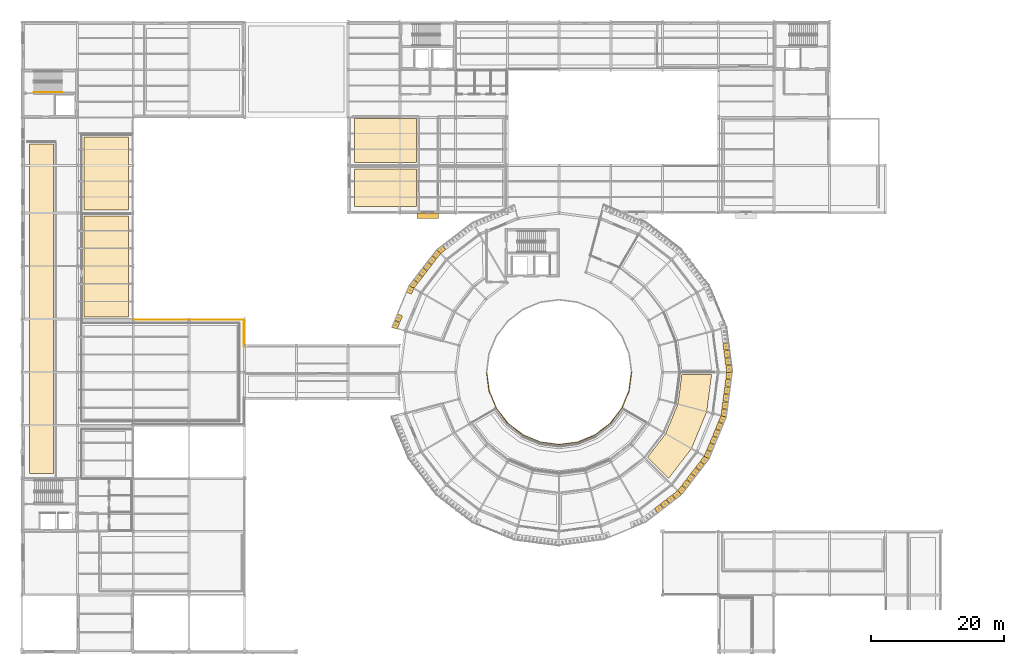
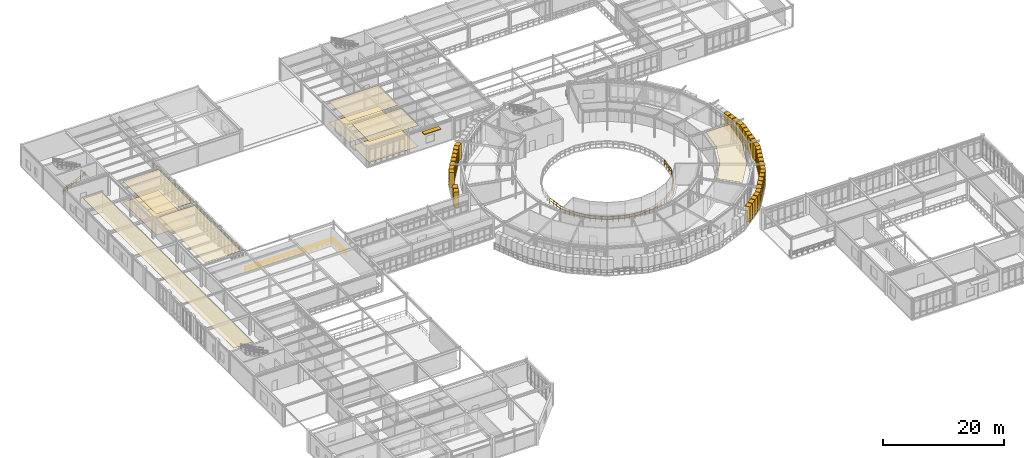
# One storey, part 99 of 106: 37 shading devices, 9 coverings, 3 railings.
"""IFC4 building model written with IfcOpenShell, lengths in metres."""

from ifc_helpers import new_model, si_unit, derived_unit, direction, frame, origin, origin_2d, place, context, subcontext, project, spatial, polyline, rectangle, circle, outline, extrude, material, layer, layer_set, type_object, element, save


model = new_model("IFC4")

# Units and contexts
model_context = context("Model", 3, precision=1e-05, world=origin(), true_north=direction((0.0, 1.0)))
body_context = subcontext(model_context, "Body", "Model", "MODEL_VIEW")
ifc_project = project(units=[si_unit("LENGTHUNIT", "METRE"), si_unit("AREAUNIT", "SQUARE_METRE"), si_unit("VOLUMEUNIT", "CUBIC_METRE"), si_unit("PLANEANGLEUNIT", "RADIAN"), si_unit("MASSUNIT", "GRAM", prefix="KILO"), derived_unit("THERMALTRANSMITTANCEUNIT", [(si_unit("POWERUNIT", "WATT"), 1), (si_unit("AREAUNIT", "SQUARE_METRE"), -1), (si_unit("THERMODYNAMICTEMPERATUREUNIT", "KELVIN"), -1)])], contexts=[model_context])

# Site, building, storey
site_placement = place(None, origin())
site = spatial("IfcSite", under=ifc_project, at=site_placement, CompositionType="ELEMENT")
building_placement = place(site_placement, origin())
building = spatial("IfcBuilding", under=site, at=building_placement, Name="Yasenodar Specialist Clinic", CompositionType="ELEMENT")
storey_placement = place(building_placement, frame((0.0, 0.0, 4.5)))
storey = spatial("IfcBuildingStorey", under=building, at=storey_placement, Name="L01", CompositionType="ELEMENT", Elevation=4.5)

# Coverings
ifc_material_1 = material(Name="Hygienic Acoustic Mineral-Fibre Ceiling")
ifc_layer_1 = layer(ifc_material_1, 0.02490234375)
ifc_layer_set_1 = layer_set([ifc_layer_1], Name="Hygienic Acoustic Mineral-Fibre Ceiling")
covering_type_1 = type_object("IfcCoveringType", Name="COV-CEIL-AC", PredefinedType="CEILING", material=ifc_layer_set_1)
covering_1_placement = place(storey_placement, frame((0.0, 0.0, 4.22509765625)))
element("IfcCovering", 1, at=covering_1_placement, inside=storey, type_object=covering_type_1, Name="L01 Oncology Specialist Consultation Suite Acoustic Ceiling", PredefinedType="CEILING", context=body_context, shape_type="SweptSolid", body=[
    extrude(outline(polyline([(97.52392578125, 42.799072265625), (94.345947265625, 45.97705078125), (97.0390625, 49.487060546875), (97.056884765625, 49.511962890625), (97.072021484375, 49.5380859375), (97.0849609375, 49.56591796875), (98.903076171875, 53.9560546875), (98.9140625, 53.98388671875), (98.922119140625, 54.013916015625), (98.927001953125, 54.0439453125), (99.50390625, 58.429931640625), (103.998046875, 58.429931640625), (103.261962890625, 52.8349609375), (100.958984375, 47.277099609375), (97.52392578125, 42.799072265625)])), origin(), (0.0, 0.0, 1.0), 0.02490234375),
])
covering_2_placement = place(storey_placement, frame((0.0, 0.0, 4.22509765625)))
element("IfcCovering", 2, at=covering_2_placement, inside=storey, type_object=covering_type_1, Name="L01 Cardiology Outpatient Consulting Suite Acoustic Ceiling", PredefinedType="CEILING", context=body_context, shape_type="SweptSolid", body=[
    extrude(outline(polyline([(4.75, 93.199951171875), (4.75, 43.550048828125), (1.14990234375, 43.550048828125), (1.14990234375, 93.199951171875), (4.75, 93.199951171875)])), origin(), (0.0, 0.0, 1.0), 0.02490234375),
])
covering_3_placement = place(storey_placement, frame((0.0, 0.0, 4.22509765625)))
element("IfcCovering", 3, at=covering_3_placement, inside=storey, type_object=covering_type_1, Name="L01 Diabetes Education Consulting Room Acoustic Ceiling", PredefinedType="CEILING", context=body_context, shape_type="SweptSolid", body=[
    extrude(outline(polyline([(16.10009765625, 82.35009765625), (16.10009765625, 67.14990234375), (9.35009765625, 67.14990234375), (9.35009765625, 82.35009765625), (16.10009765625, 82.35009765625)])), origin(), (0.0, 0.0, 1.0), 0.02490234375),
])
covering_4_placement = place(storey_placement, frame((0.0, 0.0, 4.22509765625)))
element("IfcCovering", 4, at=covering_4_placement, inside=storey, type_object=covering_type_1, Name="L01 Endoscopy Procedure Suite 01 Acoustic Ceiling", PredefinedType="CEILING", context=body_context, shape_type="SweptSolid", body=[
    extrude(outline(polyline([(59.5, 89.449951171875), (59.5, 83.75), (50.14990234375, 83.75), (50.14990234375, 89.449951171875), (59.5, 89.449951171875)])), origin(), (0.0, 0.0, 1.0), 0.02490234375),
])
covering_5_placement = place(storey_placement, frame((0.0, 0.0, 4.22509765625)))
element("IfcCovering", 5, at=covering_5_placement, inside=storey, type_object=covering_type_1, Name="L01 Scope Reprocessing Clean Utility Acoustic Ceiling", PredefinedType="CEILING", context=body_context, shape_type="SweptSolid", body=[
    extrude(outline(polyline([(59.5, 97.050048828125), (59.5, 90.449951171875), (50.14990234375, 90.449951171875), (50.14990234375, 97.050048828125), (59.5, 97.050048828125)])), origin(), (0.0, 0.0, 1.0), 0.02490234375),
])
covering_6_placement = place(storey_placement, frame((0.0, 0.0, 4.22509765625)))
element("IfcCovering", 6, at=covering_6_placement, inside=storey, type_object=covering_type_1, Name="L01 Metabolic Nutrition Consulting Room Acoustic Ceiling", PredefinedType="CEILING", context=body_context, shape_type="SweptSolid", body=[
    extrude(outline(polyline([(16.10009765625, 94.25), (16.10009765625, 83.25), (9.35009765625, 83.25), (9.35009765625, 94.25), (16.10009765625, 94.25)])), origin(), (0.0, 0.0, 1.0), 0.02490234375),
])
ifc_material_2 = material(Name="Seamless Epoxy Terrazzo Clinical Flooring")
ifc_layer_2 = layer(ifc_material_2, 0.02001953125)
ifc_layer_set_2 = layer_set([ifc_layer_2], Name="Seamless Epoxy Terrazzo Clinical Flooring")
covering_type_2 = type_object("IfcCoveringType", Name="COV-FLR-TERR", PredefinedType="FLOORING", material=ifc_layer_set_2)
covering_7_placement = place(storey_placement, origin())
element("IfcCovering", 7, at=covering_7_placement, inside=storey, type_object=covering_type_2, Name="L01 Endoscopy Procedure Suite 01 Terrazzo Flooring", PredefinedType="FLOORING", context=body_context, shape_type="SweptSolid", body=[
    extrude(outline(polyline([(59.5, 89.449951171875), (59.5, 83.75), (50.14990234375, 83.75), (50.14990234375, 89.449951171875), (59.5, 89.449951171875)])), origin(), (0.0, 0.0, 1.0), 0.02001953125),
])
covering_8_placement = place(storey_placement, origin())
element("IfcCovering", 8, at=covering_8_placement, inside=storey, type_object=covering_type_2, Name="L01 Scope Reprocessing Clean Utility Terrazzo Flooring", PredefinedType="FLOORING", context=body_context, shape_type="SweptSolid", body=[
    extrude(outline(polyline([(59.5, 97.050048828125), (59.5, 90.449951171875), (50.14990234375, 90.449951171875), (50.14990234375, 97.050048828125), (59.5, 97.050048828125)])), origin(), (0.0, 0.0, 1.0), 0.02001953125),
])
covering_9_placement = place(storey_placement, origin())
element("IfcCovering", 9, at=covering_9_placement, inside=storey, type_object=covering_type_2, Name="L01 Metabolic Nutrition Consulting Room Terrazzo Flooring", PredefinedType="FLOORING", context=body_context, shape_type="SweptSolid", body=[
    extrude(outline(polyline([(16.10009765625, 94.25), (16.10009765625, 83.25), (9.35009765625, 83.25), (9.35009765625, 94.25), (16.10009765625, 94.25)])), origin(), (0.0, 0.0, 1.0), 0.02001953125),
])

# Railings
ifc_material_3 = material(Name="Steel S355 Painted Guardrail", Category="steel")
railing_type_1 = type_object("IfcRailingType", Name="RL-GRD-1120", PredefinedType="GUARDRAIL", material=ifc_material_3)
railing_1_placement = place(storey_placement, frame((33.5, 62.64990234375, 0.0)))
element("IfcRailing", 10, at=railing_1_placement, inside=storey, type_object=railing_type_1, Name="L01 V4 Forecourt Bridge North Guardrail", PredefinedType="GUARDRAIL", context=body_context, shape_type="SweptSolid", body=[
    extrude(circle(Radius=0.02392578125, at=origin_2d()), frame((0.0, 0.0, 1.09619140625), z_axis=(0.0, 1.0, 0.0), x_axis=(-1.0, 0.0, 0.0)), (0.0, 0.0, 1.0), 4.050048828125),
    extrude(circle(Radius=0.02392578125, at=origin_2d()), frame((0.0, 0.0, 0.58251953125), z_axis=(0.0, 1.0, 0.0), x_axis=(-1.0, 0.0, 0.0)), (0.0, 0.0, 1.0), 4.050048828125),
    extrude(circle(Radius=0.02392578125, at=origin_2d()), frame((0.0, 4.050048828125, 1.09619140625), z_axis=(-1.0, 0.0, 0.0), x_axis=(0.0, -1.0, 0.0)), (0.0, 0.0, 1.0), 16.800048828125),
    extrude(circle(Radius=0.02392578125, at=origin_2d()), frame((0.0, 4.050048828125, 0.58251953125), z_axis=(-1.0, 0.0, 0.0), x_axis=(0.0, -1.0, 0.0)), (0.0, 0.0, 1.0), 16.800048828125),
    extrude(circle(Radius=0.02099609375, at=origin_2d()), origin(), (0.0, 0.0, 1.0), 1.072021484375),
    extrude(circle(Radius=0.02099609375, at=origin_2d()), frame((0.0, 1.012451171875, 0.0)), (0.0, 0.0, 1.0), 1.072021484375),
    extrude(circle(Radius=0.02099609375, at=origin_2d()), frame((0.0, 2.02490234375, 0.0)), (0.0, 0.0, 1.0), 1.072021484375),
    extrude(circle(Radius=0.02099609375, at=origin_2d()), frame((0.0, 3.03759765625, 0.0)), (0.0, 0.0, 1.0), 1.072021484375),
    extrude(circle(Radius=0.02099609375, at=origin_2d()), frame((0.0, 4.050048828125, 0.0)), (0.0, 0.0, 1.0), 1.072021484375),
    extrude(circle(Radius=0.02099609375, at=origin_2d()), frame((-1.050048828125, 4.050048828125, 0.0)), (0.0, 0.0, 1.0), 1.072021484375),
    extrude(circle(Radius=0.02099609375, at=origin_2d()), frame((-2.10009765625, 4.050048828125, 0.0)), (0.0, 0.0, 1.0), 1.072021484375),
    extrude(circle(Radius=0.02099609375, at=origin_2d()), frame((-3.14990234375, 4.050048828125, 0.0)), (0.0, 0.0, 1.0), 1.072021484375),
    extrude(circle(Radius=0.02099609375, at=origin_2d()), frame((-4.199951171875, 4.050048828125, 0.0)), (0.0, 0.0, 1.0), 1.072021484375),
    extrude(circle(Radius=0.02099609375, at=origin_2d()), frame((-5.25, 4.050048828125, 0.0)), (0.0, 0.0, 1.0), 1.072021484375),
    extrude(circle(Radius=0.02099609375, at=origin_2d()), frame((-6.300048828125, 4.050048828125, 0.0)), (0.0, 0.0, 1.0), 1.072021484375),
    extrude(circle(Radius=0.02099609375, at=origin_2d()), frame((-7.35009765625, 4.050048828125, 0.0)), (0.0, 0.0, 1.0), 1.072021484375),
    extrude(circle(Radius=0.02099609375, at=origin_2d()), frame((-8.39990234375, 4.050048828125, 0.0)), (0.0, 0.0, 1.0), 1.072021484375),
    extrude(circle(Radius=0.02099609375, at=origin_2d()), frame((-9.449951171875, 4.050048828125, 0.0)), (0.0, 0.0, 1.0), 1.072021484375),
    extrude(circle(Radius=0.02099609375, at=origin_2d()), frame((-10.5, 4.050048828125, 0.0)), (0.0, 0.0, 1.0), 1.072021484375),
    extrude(circle(Radius=0.02099609375, at=origin_2d()), frame((-11.550048828125, 4.050048828125, 0.0)), (0.0, 0.0, 1.0), 1.072021484375),
    extrude(circle(Radius=0.02099609375, at=origin_2d()), frame((-12.60009765625, 4.050048828125, 0.0)), (0.0, 0.0, 1.0), 1.072021484375),
    extrude(circle(Radius=0.02099609375, at=origin_2d()), frame((-13.650146484375, 4.050048828125, 0.0)), (0.0, 0.0, 1.0), 1.072021484375),
    extrude(circle(Radius=0.02099609375, at=origin_2d()), frame((-14.699951171875, 4.050048828125, 0.0)), (0.0, 0.0, 1.0), 1.072021484375),
    extrude(circle(Radius=0.02099609375, at=origin_2d()), frame((-15.75, 4.050048828125, 0.0)), (0.0, 0.0, 1.0), 1.072021484375),
    extrude(circle(Radius=0.02099609375, at=origin_2d()), frame((-16.800048828125, 4.050048828125, 0.0)), (0.0, 0.0, 1.0), 1.072021484375),
])
ifc_material_4 = material(Name="Steel S355 Painted Stair Guardrail", Category="steel")
railing_type_2 = type_object("IfcRailingType", Name="RL-ST-GRD", PredefinedType="GUARDRAIL", material=ifc_material_4)
railing_2_placement = place(storey_placement, frame((70.080078125, 58.800048828125, 0.0)))
element("IfcRailing", 11, at=railing_2_placement, inside=storey, type_object=railing_type_2, Name="L01 Drum V1 Central Atrium South Guardrail", PredefinedType="GUARDRAIL", context=body_context, shape_type="SweptSolid", body=[
    extrude(circle(Radius=0.02392578125, at=origin_2d()), frame((0.0, 0.0, 1.09619140625), z_axis=(0.130514325774, -0.991446423549, 0.0), x_axis=(0.991446423549, 0.130514325774, 0.0)), (0.0, 0.0, 1.0), 2.850830078125),
    extrude(circle(Radius=0.02392578125, at=origin_2d()), frame((0.0, 0.0, 0.58251953125), z_axis=(0.130514325774, -0.991446423549, 0.0), x_axis=(0.991446423549, 0.130514325774, 0.0)), (0.0, 0.0, 1.0), 2.850830078125),
    extrude(circle(Radius=0.02392578125, at=origin_2d()), frame((0.3720703125, -2.826416015625, 1.09619140625), z_axis=(0.382674535665, -0.923883217595, 0.0), x_axis=(0.923883217595, 0.382674535665, 0.0)), (0.0, 0.0, 1.0), 2.8505859375),
    extrude(circle(Radius=0.02392578125, at=origin_2d()), frame((0.3720703125, -2.826416015625, 0.58251953125), z_axis=(0.382674535665, -0.923883217595, 0.0), x_axis=(0.923883217595, 0.382674535665, 0.0)), (0.0, 0.0, 1.0), 2.8505859375),
    extrude(circle(Radius=0.02392578125, at=origin_2d()), frame((1.462890625, -5.4599609375, 1.09619140625), z_axis=(0.608733549092, -0.793374732525, 0.0), x_axis=(0.793374732525, 0.608733549092, 0.0)), (0.0, 0.0, 1.0), 2.850830078125),
    extrude(circle(Radius=0.02392578125, at=origin_2d()), frame((1.462890625, -5.4599609375, 0.58251953125), z_axis=(0.608733549092, -0.793374732525, 0.0), x_axis=(0.793374732525, 0.608733549092, 0.0)), (0.0, 0.0, 1.0), 2.850830078125),
    extrude(circle(Radius=0.02392578125, at=origin_2d()), frame((3.1982421875, -7.7216796875, 1.09619140625), z_axis=(0.793374732525, -0.608733549092, 0.0), x_axis=(0.608733549092, 0.793374732525, 0.0)), (0.0, 0.0, 1.0), 2.850830078125),
    extrude(circle(Radius=0.02392578125, at=origin_2d()), frame((3.1982421875, -7.7216796875, 0.58251953125), z_axis=(0.793374732525, -0.608733549092, 0.0), x_axis=(0.608733549092, 0.793374732525, 0.0)), (0.0, 0.0, 1.0), 2.850830078125),
    extrude(circle(Radius=0.02392578125, at=origin_2d()), frame((5.4599609375, -9.45703125, 1.09619140625), z_axis=(0.923883217595, -0.382674535665, 0.0), x_axis=(0.382674535665, 0.923883217595, 0.0)), (0.0, 0.0, 1.0), 2.8505859375),
    extrude(circle(Radius=0.02392578125, at=origin_2d()), frame((5.4599609375, -9.45703125, 0.58251953125), z_axis=(0.923883217595, -0.382674535665, 0.0), x_axis=(0.382674535665, 0.923883217595, 0.0)), (0.0, 0.0, 1.0), 2.8505859375),
    extrude(circle(Radius=0.02392578125, at=origin_2d()), frame((8.093505859375, -10.5478515625, 1.09619140625), z_axis=(0.991435338545, -0.130598504905, 0.0), x_axis=(0.130598504905, 0.991435338545, 0.0)), (0.0, 0.0, 1.0), 2.850830078125),
    extrude(circle(Radius=0.02392578125, at=origin_2d()), frame((8.093505859375, -10.5478515625, 0.58251953125), z_axis=(0.991435338545, -0.130598504905, 0.0), x_axis=(0.130598504905, 0.991435338545, 0.0)), (0.0, 0.0, 1.0), 2.850830078125),
    extrude(circle(Radius=0.02392578125, at=origin_2d()), frame((10.919921875, -10.920166015625, 1.09619140625), z_axis=(0.991435338545, 0.130598504905, 0.0), x_axis=(-0.130598504905, 0.991435338545, 0.0)), (0.0, 0.0, 1.0), 2.850830078125),
    extrude(circle(Radius=0.02392578125, at=origin_2d()), frame((10.919921875, -10.920166015625, 0.58251953125), z_axis=(0.991435338545, 0.130598504905, 0.0), x_axis=(-0.130598504905, 0.991435338545, 0.0)), (0.0, 0.0, 1.0), 2.850830078125),
    extrude(circle(Radius=0.02392578125, at=origin_2d()), frame((13.746337890625, -10.5478515625, 1.09619140625), z_axis=(0.923883217595, 0.382674535665, 0.0), x_axis=(-0.382674535665, 0.923883217595, 0.0)), (0.0, 0.0, 1.0), 2.8505859375),
    extrude(circle(Radius=0.02392578125, at=origin_2d()), frame((13.746337890625, -10.5478515625, 0.58251953125), z_axis=(0.923883217595, 0.382674535665, 0.0), x_axis=(-0.382674535665, 0.923883217595, 0.0)), (0.0, 0.0, 1.0), 2.8505859375),
    extrude(circle(Radius=0.02392578125, at=origin_2d()), frame((16.3798828125, -9.45703125, 1.09619140625), z_axis=(0.793374732525, 0.608733549092, 0.0), x_axis=(-0.608733549092, 0.793374732525, 0.0)), (0.0, 0.0, 1.0), 2.850830078125),
    extrude(circle(Radius=0.02392578125, at=origin_2d()), frame((16.3798828125, -9.45703125, 0.58251953125), z_axis=(0.793374732525, 0.608733549092, 0.0), x_axis=(-0.608733549092, 0.793374732525, 0.0)), (0.0, 0.0, 1.0), 2.850830078125),
    extrude(circle(Radius=0.02392578125, at=origin_2d()), frame((18.6416015625, -7.7216796875, 1.09619140625), z_axis=(0.608733549092, 0.793374732525, 0.0), x_axis=(-0.793374732525, 0.608733549092, 0.0)), (0.0, 0.0, 1.0), 2.850830078125),
    extrude(circle(Radius=0.02392578125, at=origin_2d()), frame((18.6416015625, -7.7216796875, 0.58251953125), z_axis=(0.608733549092, 0.793374732525, 0.0), x_axis=(-0.793374732525, 0.608733549092, 0.0)), (0.0, 0.0, 1.0), 2.850830078125),
    extrude(circle(Radius=0.02392578125, at=origin_2d()), frame((20.376953125, -5.4599609375, 1.09619140625), z_axis=(0.382674535665, 0.923883217595, 0.0), x_axis=(-0.923883217595, 0.382674535665, 0.0)), (0.0, 0.0, 1.0), 2.8505859375),
    extrude(circle(Radius=0.02392578125, at=origin_2d()), frame((20.376953125, -5.4599609375, 0.58251953125), z_axis=(0.382674535665, 0.923883217595, 0.0), x_axis=(-0.923883217595, 0.382674535665, 0.0)), (0.0, 0.0, 1.0), 2.8505859375),
    extrude(circle(Radius=0.02392578125, at=origin_2d()), frame((21.4677734375, -2.826416015625, 1.09619140625), z_axis=(0.130514325774, 0.991446423549, 0.0), x_axis=(-0.991446423549, 0.130514325774, 0.0)), (0.0, 0.0, 1.0), 2.850830078125),
    extrude(circle(Radius=0.02392578125, at=origin_2d()), frame((21.4677734375, -2.826416015625, 0.58251953125), z_axis=(0.130514325774, 0.991446423549, 0.0), x_axis=(-0.991446423549, 0.130514325774, 0.0)), (0.0, 0.0, 1.0), 2.850830078125),
    extrude(circle(Radius=0.02099609375, at=origin_2d()), origin(), (0.0, 0.0, 1.0), 1.072021484375),
    extrude(circle(Radius=0.02099609375, at=origin_2d()), frame((0.1240234375, -0.942138671875, 0.0)), (0.0, 0.0, 1.0), 1.072021484375),
    extrude(circle(Radius=0.02099609375, at=origin_2d()), frame((0.248046875, -1.88427734375, 0.0)), (0.0, 0.0, 1.0), 1.072021484375),
    extrude(circle(Radius=0.02099609375, at=origin_2d()), frame((0.3720703125, -2.826416015625, 0.0)), (0.0, 0.0, 1.0), 1.072021484375),
    extrude(circle(Radius=0.02099609375, at=origin_2d()), frame((0.735595703125, -3.704345703125, 0.0)), (0.0, 0.0, 1.0), 1.072021484375),
    extrude(circle(Radius=0.02099609375, at=origin_2d()), frame((1.099365234375, -4.58203125, 0.0)), (0.0, 0.0, 1.0), 1.072021484375),
    extrude(circle(Radius=0.02099609375, at=origin_2d()), frame((1.462890625, -5.4599609375, 0.0)), (0.0, 0.0, 1.0), 1.072021484375),
    extrude(circle(Radius=0.02099609375, at=origin_2d()), frame((2.041259765625, -6.2138671875, 0.0)), (0.0, 0.0, 1.0), 1.072021484375),
    extrude(circle(Radius=0.02099609375, at=origin_2d()), frame((2.619873046875, -6.9677734375, 0.0)), (0.0, 0.0, 1.0), 1.072021484375),
    extrude(circle(Radius=0.02099609375, at=origin_2d()), frame((3.1982421875, -7.7216796875, 0.0)), (0.0, 0.0, 1.0), 1.072021484375),
    extrude(circle(Radius=0.02099609375, at=origin_2d()), frame((3.9521484375, -8.300048828125, 0.0)), (0.0, 0.0, 1.0), 1.072021484375),
    extrude(circle(Radius=0.02099609375, at=origin_2d()), frame((4.7060546875, -8.878662109375, 0.0)), (0.0, 0.0, 1.0), 1.072021484375),
    extrude(circle(Radius=0.02099609375, at=origin_2d()), frame((5.4599609375, -9.45703125, 0.0)), (0.0, 0.0, 1.0), 1.072021484375),
    extrude(circle(Radius=0.02099609375, at=origin_2d()), frame((6.337890625, -9.820556640625, 0.0)), (0.0, 0.0, 1.0), 1.072021484375),
    extrude(circle(Radius=0.02099609375, at=origin_2d()), frame((7.215576171875, -10.184326171875, 0.0)), (0.0, 0.0, 1.0), 1.072021484375),
    extrude(circle(Radius=0.02099609375, at=origin_2d()), frame((8.093505859375, -10.5478515625, 0.0)), (0.0, 0.0, 1.0), 1.072021484375),
    extrude(circle(Radius=0.02099609375, at=origin_2d()), frame((9.03564453125, -10.671875, 0.0)), (0.0, 0.0, 1.0), 1.072021484375),
    extrude(circle(Radius=0.02099609375, at=origin_2d()), frame((9.977783203125, -10.796142578125, 0.0)), (0.0, 0.0, 1.0), 1.072021484375),
    extrude(circle(Radius=0.02099609375, at=origin_2d()), frame((10.919921875, -10.920166015625, 0.0)), (0.0, 0.0, 1.0), 1.072021484375),
    extrude(circle(Radius=0.02099609375, at=origin_2d()), frame((11.862060546875, -10.796142578125, 0.0)), (0.0, 0.0, 1.0), 1.072021484375),
    extrude(circle(Radius=0.02099609375, at=origin_2d()), frame((12.80419921875, -10.671875, 0.0)), (0.0, 0.0, 1.0), 1.072021484375),
    extrude(circle(Radius=0.02099609375, at=origin_2d()), frame((13.746337890625, -10.5478515625, 0.0)), (0.0, 0.0, 1.0), 1.072021484375),
    extrude(circle(Radius=0.02099609375, at=origin_2d()), frame((14.624267578125, -10.184326171875, 0.0)), (0.0, 0.0, 1.0), 1.072021484375),
    extrude(circle(Radius=0.02099609375, at=origin_2d()), frame((15.501953125, -9.820556640625, 0.0)), (0.0, 0.0, 1.0), 1.072021484375),
    extrude(circle(Radius=0.02099609375, at=origin_2d()), frame((16.3798828125, -9.45703125, 0.0)), (0.0, 0.0, 1.0), 1.072021484375),
    extrude(circle(Radius=0.02099609375, at=origin_2d()), frame((17.1337890625, -8.878662109375, 0.0)), (0.0, 0.0, 1.0), 1.072021484375),
    extrude(circle(Radius=0.02099609375, at=origin_2d()), frame((17.8876953125, -8.300048828125, 0.0)), (0.0, 0.0, 1.0), 1.072021484375),
    extrude(circle(Radius=0.02099609375, at=origin_2d()), frame((18.6416015625, -7.7216796875, 0.0)), (0.0, 0.0, 1.0), 1.072021484375),
    extrude(circle(Radius=0.02099609375, at=origin_2d()), frame((19.219970703125, -6.9677734375, 0.0)), (0.0, 0.0, 1.0), 1.072021484375),
    extrude(circle(Radius=0.02099609375, at=origin_2d()), frame((19.798583984375, -6.2138671875, 0.0)), (0.0, 0.0, 1.0), 1.072021484375),
    extrude(circle(Radius=0.02099609375, at=origin_2d()), frame((20.376953125, -5.4599609375, 0.0)), (0.0, 0.0, 1.0), 1.072021484375),
    extrude(circle(Radius=0.02099609375, at=origin_2d()), frame((20.740478515625, -4.58203125, 0.0)), (0.0, 0.0, 1.0), 1.072021484375),
    extrude(circle(Radius=0.02099609375, at=origin_2d()), frame((21.104248046875, -3.704345703125, 0.0)), (0.0, 0.0, 1.0), 1.072021484375),
    extrude(circle(Radius=0.02099609375, at=origin_2d()), frame((21.4677734375, -2.826416015625, 0.0)), (0.0, 0.0, 1.0), 1.072021484375),
    extrude(circle(Radius=0.02099609375, at=origin_2d()), frame((21.591796875, -1.88427734375, 0.0)), (0.0, 0.0, 1.0), 1.072021484375),
    extrude(circle(Radius=0.02099609375, at=origin_2d()), frame((21.7158203125, -0.942138671875, 0.0)), (0.0, 0.0, 1.0), 1.072021484375),
    extrude(circle(Radius=0.02099609375, at=origin_2d()), frame((21.83984375, 0.0, 0.0)), (0.0, 0.0, 1.0), 1.072021484375),
])
ifc_material_5 = material(Name="Brushed Stainless Steel Handrail", Category="steel")
railing_type_3 = type_object("IfcRailingType", Name="RL-ST-HND", PredefinedType="HANDRAIL", material=ifc_material_5)
railing_3_placement = place(storey_placement, frame((1.840087890625, 101.010009765625, 0.14990234375)))
element("IfcRailing", 12, at=railing_3_placement, inside=storey, type_object=railing_type_3, Name="L01 ST-02 stair handrail 1", PredefinedType="HANDRAIL", context=body_context, shape_type="SweptSolid", body=[
    extrude(circle(Radius=0.02392578125, at=origin_2d()), frame((0.0, 0.0, 0.8759765625), z_axis=(0.894416792377, 0.0, 0.447234392142), x_axis=(0.0, 1.0, 0.0)), (0.0, 0.0, 1.0), 4.69580078125),
    extrude(circle(Radius=0.02392578125, at=origin_2d()), frame((0.0, 0.0, 0.468017578125), z_axis=(0.894416792377, 0.0, 0.447234392142), x_axis=(0.0, 1.0, 0.0)), (0.0, 0.0, 1.0), 4.69580078125),
    extrude(circle(Radius=0.02099609375, at=origin_2d()), origin(), (0.0, 0.0, 1.0), 0.851806640625),
    extrude(circle(Radius=0.02099609375, at=origin_2d()), frame((0.840087890625, 0.0, 0.419921875)), (0.0, 0.0, 1.0), 0.851806640625),
    extrude(circle(Radius=0.02099609375, at=origin_2d()), frame((1.679931640625, 0.0, 0.840087890625)), (0.0, 0.0, 1.0), 0.851806640625),
    extrude(circle(Radius=0.02099609375, at=origin_2d()), frame((2.52001953125, 0.0, 1.260009765625)), (0.0, 0.0, 1.0), 0.851806640625),
    extrude(circle(Radius=0.02099609375, at=origin_2d()), frame((3.35986328125, 0.0, 1.68017578125)), (0.0, 0.0, 1.0), 0.851806640625),
    extrude(circle(Radius=0.02099609375, at=origin_2d()), frame((4.199951171875, 0.0, 2.10009765625)), (0.0, 0.0, 1.0), 0.851806640625),
])

# Shading devices
ifc_material_6 = material(Name="Bronze Anodized Aluminium Chhajja Sunshade", Category="aluminium")
shading_device_type_1 = type_object("IfcShadingDeviceType", Name="SHD-CHHAJJA-850", PredefinedType="JALOUSIE", material=ifc_material_6)
shading_device_placement = place(storey_placement, frame((61.199951171875, 82.3798828125, 3.35791015625), z_axis=(0.0, 0.0, 1.0), x_axis=(-1.0, 0.0, 0.0)))
element("IfcShadingDevice", 13, at=shading_device_placement, inside=storey, type_object=shading_device_type_1, Name="L01 Chhajja Solar Overhang 451", PredefinedType="JALOUSIE", context=body_context, shape_type="SweptSolid", body=[
    extrude(rectangle(XDim=3.199951171875, YDim=0.85009765625, at=origin_2d()), origin(), (0.0, 0.0, 1.0), 0.139892578125),
])
ifc_material_7 = material(Name="Thermally Modified Larch and Bronze Girih Jali Shutter")
shading_device_type_2 = type_object("IfcShadingDeviceType", Name="SHD-JALI-850", PredefinedType="SHUTTER", material=ifc_material_7)
for number, where, z_axis, x_axis, name in (
    (14, (106.6298828125, 59.2998046875, -0.005126953125), (0.0, 0.0, 1.0), (-0.130519185854, 0.991445783754, 0.0), "L01 Mughal Girih Jali Sliding Shutter Frame 0001"),
    (15, (106.481201171875, 60.429931640625, -0.005126953125), (0.0, 0.0, 1.0), (-0.130519185854, 0.991445783754, 0.0), "L01 Mughal Girih Jali Sliding Shutter Frame 0002"),
    (16, (106.332275390625, 61.560302734375, -0.005126953125), (0.0, 0.0, 1.0), (-0.130519185854, 0.991445783754, 0.0), "L01 Mughal Girih Jali Sliding Shutter Frame 0003"),
    (17, (106.18359375, 62.6904296875, -0.005126953125), (0.0, 0.0, 1.0), (-0.130519185854, 0.991445783754, 0.0), "L01 Mughal Girih Jali Sliding Shutter Frame 0004"),
    (18, (63.23046875, 77.276611328125, -0.005126953125), (0.0, 0.0, 1.0), (-0.793351200869, -0.608764217148, 0.0), "L01 Mughal Girih Jali Sliding Shutter Frame 0039"),
    (19, (62.5234375, 76.569580078125, -0.005126953125), (0.0, 0.0, 1.0), (-0.608764217148, -0.793351200869, 0.0), "L01 Mughal Girih Jali Sliding Shutter Frame 0040"),
    (20, (61.82958984375, 75.665283203125, -0.005126953125), (0.0, 0.0, 1.0), (-0.608764217148, -0.793351200869, 0.0), "L01 Mughal Girih Jali Sliding Shutter Frame 0041"),
    (21, (61.135498046875, 74.760986328125, -0.005126953125), (0.0, 0.0, 1.0), (-0.608764217148, -0.793351200869, 0.0), "L01 Mughal Girih Jali Sliding Shutter Frame 0042"),
    (22, (60.441650390625, 73.8564453125, -0.005126953125), (0.0, 0.0, 1.0), (-0.608764217148, -0.793351200869, 0.0), "L01 Mughal Girih Jali Sliding Shutter Frame 0043"),
    (23, (59.747802734375, 72.9521484375, -0.005126953125), (0.0, 0.0, 1.0), (-0.608764217148, -0.793351200869, 0.0), "L01 Mughal Girih Jali Sliding Shutter Frame 0044"),
    (24, (59.0537109375, 72.0478515625, -0.005126953125), (0.0, 0.0, 1.0), (-0.608764217148, -0.793351200869, 0.0), "L01 Mughal Girih Jali Sliding Shutter Frame 0045"),
    (25, (58.553955078125, 71.18212890625, -0.005126953125), (0.0, 0.0, 1.0), (-0.382686667195, -0.923878192594, 0.0), "L01 Mughal Girih Jali Sliding Shutter Frame 0046"),
    (26, (56.80908203125, 66.969482421875, -0.005126953125), (0.0, 0.0, 1.0), (-0.382686667195, -0.923878192594, 0.0), "L01 Mughal Girih Jali Sliding Shutter Frame 0047"),
    (27, (56.372802734375, 65.916259765625, -0.005126953125), (0.0, 0.0, 1.0), (-0.382686667195, -0.923878192594, 0.0), "L01 Mughal Girih Jali Sliding Shutter Frame 0048"),
    (28, (96.056396484375, 38.24169921875, -0.005126953125), (0.0, 0.0, 1.0), (0.793351200869, 0.608764217148, 0.0), "L01 Mughal Girih Jali Sliding Shutter Frame 0087"),
    (29, (96.9609375, 38.935546875, -0.005126953125), (0.0, 0.0, 1.0), (0.793351200869, 0.608764217148, 0.0), "L01 Mughal Girih Jali Sliding Shutter Frame 0088"),
    (30, (97.865234375, 39.629638671875, -0.005126953125), (0.0, 0.0, 1.0), (0.793351200869, 0.608764217148, 0.0), "L01 Mughal Girih Jali Sliding Shutter Frame 0089"),
    (31, (98.76953125, 40.323486328125, -0.005126953125), (0.0, 0.0, 1.0), (0.793351200869, 0.608764217148, 0.0), "L01 Mughal Girih Jali Sliding Shutter Frame 0090"),
    (32, (99.4765625, 41.030517578125, -0.005126953125), (0.0, 0.0, 1.0), (0.608764217148, 0.793351200869, 0.0), "L01 Mughal Girih Jali Sliding Shutter Frame 0091"),
    (33, (100.17041015625, 41.934814453125, -0.005126953125), (0.0, 0.0, 1.0), (0.608764217148, 0.793351200869, 0.0), "L01 Mughal Girih Jali Sliding Shutter Frame 0092"),
    (34, (100.864501953125, 42.839111328125, -0.005126953125), (0.0, 0.0, 1.0), (0.608764217148, 0.793351200869, 0.0), "L01 Mughal Girih Jali Sliding Shutter Frame 0093"),
    (35, (101.558349609375, 43.743408203125, -0.005126953125), (0.0, 0.0, 1.0), (0.608764217148, 0.793351200869, 0.0), "L01 Mughal Girih Jali Sliding Shutter Frame 0094"),
    (36, (102.252197265625, 44.647705078125, -0.005126953125), (0.0, 0.0, 1.0), (0.608764217148, 0.793351200869, 0.0), "L01 Mughal Girih Jali Sliding Shutter Frame 0095"),
    (37, (102.9462890625, 45.55224609375, -0.005126953125), (0.0, 0.0, 1.0), (0.608764217148, 0.793351200869, 0.0), "L01 Mughal Girih Jali Sliding Shutter Frame 0096"),
    (38, (103.446044921875, 46.41796875, -0.005126953125), (0.0, 0.0, 1.0), (0.382686667195, 0.923878192594, 0.0), "L01 Mughal Girih Jali Sliding Shutter Frame 0097"),
    (39, (103.88232421875, 47.47119140625, -0.005126953125), (0.0, 0.0, 1.0), (0.382686667195, 0.923878192594, 0.0), "L01 Mughal Girih Jali Sliding Shutter Frame 0098"),
    (40, (104.318603515625, 48.524169921875, -0.005126953125), (0.0, 0.0, 1.0), (0.382686667195, 0.923878192594, 0.0), "L01 Mughal Girih Jali Sliding Shutter Frame 0099"),
    (41, (104.7548828125, 49.577392578125, -0.005126953125), (0.0, 0.0, 1.0), (0.382686667195, 0.923878192594, 0.0), "L01 Mughal Girih Jali Sliding Shutter Frame 0100"),
    (42, (105.19091796875, 50.630615234375, -0.005126953125), (0.0, 0.0, 1.0), (0.382686667195, 0.923878192594, 0.0), "L01 Mughal Girih Jali Sliding Shutter Frame 0101"),
    (43, (105.627197265625, 51.68359375, -0.005126953125), (0.0, 0.0, 1.0), (0.382686667195, 0.923878192594, 0.0), "L01 Mughal Girih Jali Sliding Shutter Frame 0102"),
    (44, (105.885986328125, 52.6494140625, -0.005126953125), (0.0, 0.0, 1.0), (0.130519185854, 0.991445783754, 0.0), "L01 Mughal Girih Jali Sliding Shutter Frame 0103"),
    (45, (106.034912109375, 53.779296875, -0.005126953125), (0.0, 0.0, 1.0), (0.130519185854, 0.991445783754, 0.0), "L01 Mughal Girih Jali Sliding Shutter Frame 0104"),
    (46, (106.18359375, 54.90966796875, -0.005126953125), (0.0, 0.0, 1.0), (0.130519185854, 0.991445783754, 0.0), "L01 Mughal Girih Jali Sliding Shutter Frame 0105"),
    (47, (106.332275390625, 56.039794921875, -0.005126953125), (0.0, 0.0, 1.0), (0.130519185854, 0.991445783754, 0.0), "L01 Mughal Girih Jali Sliding Shutter Frame 0106"),
    (48, (106.481201171875, 57.169921875, -0.005126953125), (0.0, 0.0, 1.0), (0.130519185854, 0.991445783754, 0.0), "L01 Mughal Girih Jali Sliding Shutter Frame 0107"),
    (49, (106.6298828125, 58.30029296875, -0.005126953125), (0.0, 0.0, 1.0), (0.130519185854, 0.991445783754, 0.0), "L01 Mughal Girih Jali Sliding Shutter Frame 0108"),
):
    element("IfcShadingDevice", number, at=place(storey_placement, frame(where, z_axis=z_axis, x_axis=x_axis)), inside=storey, type_object=shading_device_type_2, Name=name, PredefinedType="SHUTTER", context=body_context, shape_type="SweptSolid", body=[
        extrude(rectangle(XDim=1.02001953125, YDim=0.85009765625, at=origin_2d()), origin(), (0.0, 0.0, 1.0), 3.10009765625),
    ])

save(model, "model.ifc")
